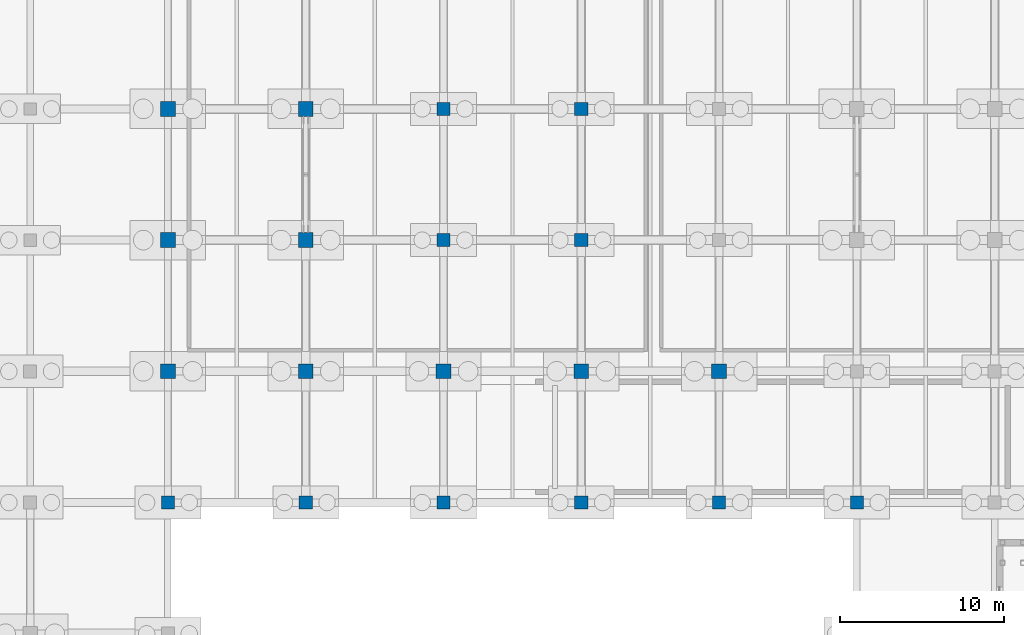
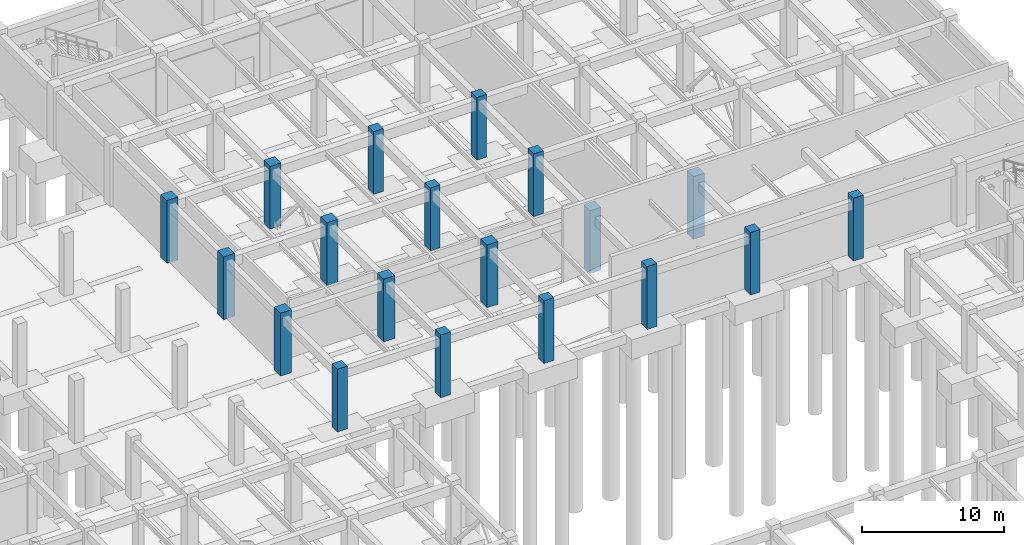
# One storey, part 21 of 56: 19 columns.
"""IFC4 building model written with IfcOpenShell, lengths in metres."""

from ifc_helpers import new_model, si_unit, direction, frame, origin, origin_2d, place, context, subcontext, project, spatial, rectangle, extrude, material, material_profile, profile_set, type_object, element, save


model = new_model("IFC4")

# Units and contexts
model_context = context("Model", 3, precision=1e-05, world=origin(), true_north=direction((0.0, 1.0)))
body_context = subcontext(model_context, "Body", "Model", "MODEL_VIEW")
ifc_project = project(units=[si_unit("LENGTHUNIT", "METRE"), si_unit("AREAUNIT", "SQUARE_METRE"), si_unit("VOLUMEUNIT", "CUBIC_METRE"), si_unit("PLANEANGLEUNIT", "RADIAN"), si_unit("MASSUNIT", "GRAM", prefix="KILO")], contexts=[model_context])

# Site, building, storey
site_placement = place(None, origin())
site = spatial("IfcSite", under=ifc_project, at=site_placement, CompositionType="ELEMENT")
building_placement = place(site_placement, origin())
building = spatial("IfcBuilding", under=site, at=building_placement, Name="Naruveol Harbour Congress Hotel", CompositionType="ELEMENT")
storey_placement = place(building_placement, frame((0.0, 0.0, -5.39990234375)))
storey = spatial("IfcBuildingStorey", under=building, at=storey_placement, Name="B01", CompositionType="ELEMENT", Elevation=-5.39990234375)

# Columns
ifc_material_1 = material(Name="Concrete C50/60", Category="concrete")
ifc_material_profile_1 = material_profile(ifc_material_1, rectangle(XDim=0.800048828125, YDim=0.800048828125, at=origin_2d()), Name="RC-800x800")
ifc_profile_set_1 = profile_set([ifc_material_profile_1], Name="Concrete C50/60")
column_type_1 = type_object("IfcColumnType", Name="RC PODIUM COLUMN 800X800", PredefinedType="COLUMN", material=ifc_profile_set_1)
for number, where, z_axis, x_axis, name in (
    (1, (67.199951171875, 64.0, 0.0), (0.0, 0.0, 1.0), (1.0, 0.0, 0.0), "Column C-800 B01 (67.2,64.0)"),
    (2, (75.60009765625, 64.0, 0.0), (0.0, 0.0, 1.0), (1.0, 0.0, 0.0), "Column C-800 B01 (75.6,64.0)"),
    (3, (84.0, 64.0, 0.0), (0.0, 0.0, 1.0), (1.0, 0.0, 0.0), "Column C-800 B01 (84.0,64.0)"),
    (4, (84.0, 80.0, 0.0), (0.0, 0.0, 1.0), (1.0, 0.0, 0.0), "Column C-800 B01 (84.0,80.0)"),
    (5, (84.0, 88.0, 0.0), (0.0, 0.0, 1.0), (1.0, 0.0, 0.0), "Column C-800 B01 (84.0,88.0)"),
    (6, (92.39990234375, 64.0, 0.0), (0.0, 0.0, 1.0), (1.0, 0.0, 0.0), "Column C-800 B01 (92.4,64.0)"),
    (7, (92.39990234375, 80.0, 0.0), (0.0, 0.0, 1.0), (1.0, 0.0, 0.0), "Column C-800 B01 (92.4,80.0)"),
    (8, (92.39990234375, 88.0, 0.0), (0.0, 0.0, 1.0), (1.0, 0.0, 0.0), "Column C-800 B01 (92.4,88.0)"),
    (9, (100.800048828125, 64.0, 0.0), (0.0, 0.0, 1.0), (1.0, 0.0, 0.0), "Column C-800 B01 (100.8,64.0)"),
    (10, (109.199951171875, 64.0, 0.0), (0.0, 0.0, 1.0), (1.0, 0.0, 0.0), "Column C-800 B01 (109.2,64.0)"),
):
    element("IfcColumn", number, at=place(storey_placement, frame(where, z_axis=z_axis, x_axis=x_axis)), inside=storey, type_object=column_type_1, Name=name, PredefinedType="COLUMN", context=body_context, shape_type="SweptSolid", body=[
        extrude(rectangle(XDim=0.800048828125, YDim=0.800048828125, at=origin_2d()), origin(), (0.0, 0.0, 1.0), 5.39990234375),
    ])
ifc_material_2 = material(Name="Concrete C50/60", Category="concrete")
ifc_material_profile_2 = material_profile(ifc_material_2, rectangle(XDim=0.89990234375, YDim=0.89990234375, at=origin_2d()), Name="RC-900x900")
ifc_profile_set_2 = profile_set([ifc_material_profile_2], Name="Concrete C50/60")
column_type_2 = type_object("IfcColumnType", Name="RC PRIMARY COLUMN 900X900", PredefinedType="COLUMN", material=ifc_profile_set_2)
for number, where, z_axis, x_axis, name in (
    (11, (67.199951171875, 72.0, 0.0), (0.0, 0.0, 1.0), (1.0, 0.0, 0.0), "Column C-900 B01 (67.2,72.0)"),
    (12, (67.199951171875, 80.0, 0.0), (0.0, 0.0, 1.0), (1.0, 0.0, 0.0), "Column C-900 B01 (67.2,80.0)"),
    (13, (67.199951171875, 88.0, 0.0), (0.0, 0.0, 1.0), (1.0, 0.0, 0.0), "Column C-900 B01 (67.2,88.0)"),
    (14, (75.60009765625, 72.0, 0.0), (0.0, 0.0, 1.0), (1.0, 0.0, 0.0), "Column C-900 B01 (75.6,72.0)"),
    (15, (75.60009765625, 80.0, 0.0), (0.0, 0.0, 1.0), (1.0, 0.0, 0.0), "Column C-900 B01 (75.6,80.0)"),
    (16, (75.60009765625, 88.0, 0.0), (0.0, 0.0, 1.0), (1.0, 0.0, 0.0), "Column C-900 B01 (75.6,88.0)"),
    (17, (84.0, 72.0, 0.0), (0.0, 0.0, 1.0), (1.0, 0.0, 0.0), "Column C-900 B01 (84.0,72.0)"),
    (18, (92.39990234375, 72.0, 0.0), (0.0, 0.0, 1.0), (1.0, 0.0, 0.0), "Column C-900 B01 (92.4,72.0)"),
    (19, (100.800048828125, 72.0, 0.0), (0.0, 0.0, 1.0), (1.0, 0.0, 0.0), "Column C-900 B01 (100.8,72.0)"),
):
    element("IfcColumn", number, at=place(storey_placement, frame(where, z_axis=z_axis, x_axis=x_axis)), inside=storey, type_object=column_type_2, Name=name, PredefinedType="COLUMN", context=body_context, shape_type="SweptSolid", body=[
        extrude(rectangle(XDim=0.89990234375, YDim=0.89990234375, at=origin_2d()), origin(), (0.0, 0.0, 1.0), 5.39990234375),
    ])

save(model, "model.ifc")
